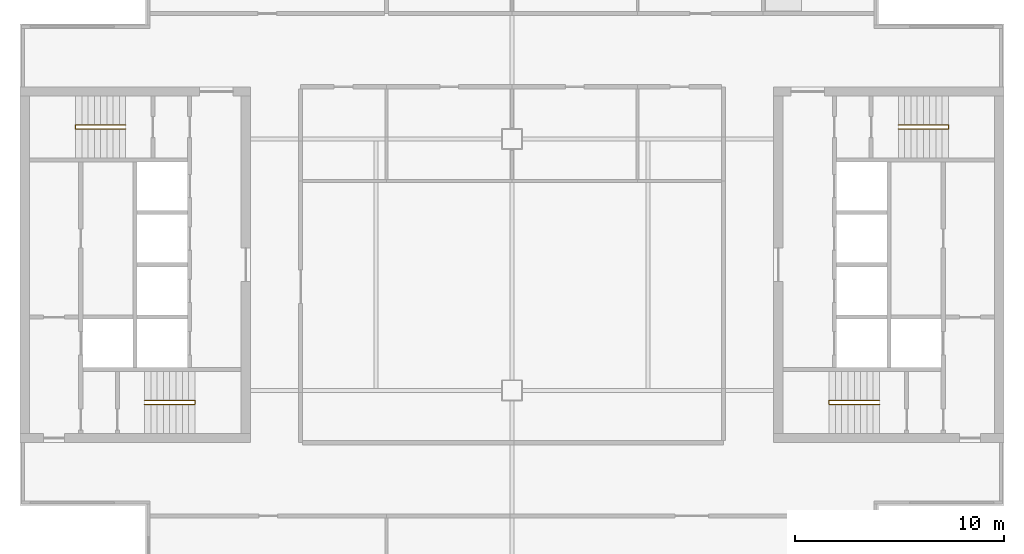
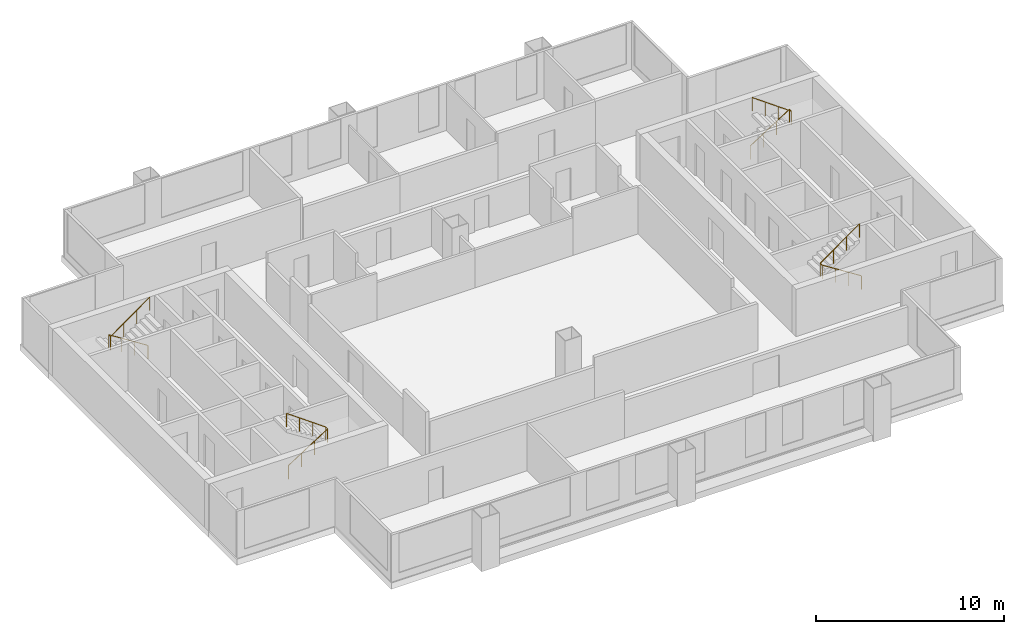
# One storey, part 6 of 7: 4 railings.
"""IFC4 building model written with IfcOpenShell, lengths in metres."""

from ifc_helpers import new_model, si_unit, direction, frame, origin, origin_2d, place, context, subcontext, project, spatial, circle, extrude, material, type_object, element, save


model = new_model("IFC4")

# Units and contexts
model_context = context("Model", 3, precision=1e-05, world=origin(), true_north=direction((0.0, 1.0)))
body_context = subcontext(model_context, "Body", "Model", "MODEL_VIEW")
ifc_project = project(units=[si_unit("LENGTHUNIT", "METRE"), si_unit("AREAUNIT", "SQUARE_METRE"), si_unit("VOLUMEUNIT", "CUBIC_METRE"), si_unit("PLANEANGLEUNIT", "RADIAN"), si_unit("MASSUNIT", "GRAM", prefix="KILO")], contexts=[model_context])

# Site, building, storey
site_placement = place(None, origin())
site = spatial("IfcSite", under=ifc_project, at=site_placement, CompositionType="ELEMENT")
building_placement = place(site_placement, origin())
building = spatial("IfcBuilding", under=site, at=building_placement, Name="Kitamizu Gate Tower and Museum", CompositionType="ELEMENT")
storey_placement = place(building_placement, frame((0.0, 0.0, 242.10009765625)))
storey = spatial("IfcBuildingStorey", under=building, at=storey_placement, Name="L65", CompositionType="ELEMENT", Elevation=242.10009765625)

# Railings
ifc_material = material(Name="Stainless steel SUS304", Category="steel")
railing_type = type_object("IfcRailingType", Name="Stair handrail 900", PredefinedType="HANDRAIL", material=ifc_material)
railing_1_placement = place(storey_placement, frame((18.449951171875, 23.324951171875, 0.191650390625)))
element("IfcRailing", 1, at=railing_1_placement, inside=storey, type_object=railing_type, Name="Stair handrail ST1", PredefinedType="HANDRAIL", context=body_context, shape_type="SweptSolid", body=[
    extrude(circle(Radius=0.02392578125, at=origin_2d()), frame((0.0, 0.0, 0.8759765625), z_axis=(0.842731908877, 0.0, 0.538333474494), x_axis=(0.0, 1.0, 0.0)), (0.0, 0.0, 1.0), 2.84814453125),
    extrude(circle(Radius=0.02392578125, at=origin_2d()), frame((2.400146484375, 0.0, 2.4091796875), z_axis=(0.0, 1.0, 0.0), x_axis=(-1.0, 0.0, 0.0)), (0.0, 0.0, 1.0), 0.199951171875),
    extrude(circle(Radius=0.02392578125, at=origin_2d()), frame((2.400146484375, 0.199951171875, 2.4091796875), z_axis=(-0.812016594614, 0.0, 0.583634346205), x_axis=(0.0, -1.0, 0.0)), (0.0, 0.0, 1.0), 2.955810546875),
    extrude(circle(Radius=0.02099609375, at=origin_2d()), origin(), (0.0, 0.0, 1.0), 0.851806640625),
    extrude(circle(Radius=0.02099609375, at=origin_2d()), frame((0.800048828125, 0.0, 0.510986328125)), (0.0, 0.0, 1.0), 0.851806640625),
    extrude(circle(Radius=0.02099609375, at=origin_2d()), frame((1.60009765625, 0.0, 1.022216796875)), (0.0, 0.0, 1.0), 0.851806640625),
    extrude(circle(Radius=0.02099609375, at=origin_2d()), frame((2.400146484375, 0.0, 1.533203125)), (0.0, 0.0, 1.0), 0.851806640625),
    extrude(circle(Radius=0.02099609375, at=origin_2d()), frame((2.400146484375, 0.199951171875, 1.533203125)), (0.0, 0.0, 1.0), 0.851806640625),
    extrude(circle(Radius=0.02099609375, at=origin_2d()), frame((1.60009765625, 0.199951171875, 2.108154296875)), (0.0, 0.0, 1.0), 0.851806640625),
    extrude(circle(Radius=0.02099609375, at=origin_2d()), frame((0.800048828125, 0.199951171875, 2.683349609375)), (0.0, 0.0, 1.0), 0.851806640625),
    extrude(circle(Radius=0.02099609375, at=origin_2d()), frame((0.0, 0.199951171875, 3.25830078125)), (0.0, 0.0, 1.0), 0.851806640625),
])
railing_2_placement = place(storey_placement, frame((17.550048828125, 36.675048828125, 0.191650390625)))
element("IfcRailing", 2, at=railing_2_placement, inside=storey, type_object=railing_type, Name="Stair handrail ST2", PredefinedType="HANDRAIL", context=body_context, shape_type="SweptSolid", body=[
    extrude(circle(Radius=0.02392578125, at=origin_2d()), frame((0.0, 0.0, 0.8759765625), z_axis=(-0.842731908877, 0.0, 0.538333474494), x_axis=(0.0, -1.0, 0.0)), (0.0, 0.0, 1.0), 2.84814453125),
    extrude(circle(Radius=0.02392578125, at=origin_2d()), frame((-2.400146484375, 0.0, 2.4091796875), z_axis=(0.0, -1.0, 0.0), x_axis=(1.0, 0.0, 0.0)), (0.0, 0.0, 1.0), 0.199951171875),
    extrude(circle(Radius=0.02392578125, at=origin_2d()), frame((-2.400146484375, -0.199951171875, 2.4091796875), z_axis=(0.812016594614, 0.0, 0.583634346205), x_axis=(0.0, 1.0, 0.0)), (0.0, 0.0, 1.0), 2.955810546875),
    extrude(circle(Radius=0.02099609375, at=origin_2d()), origin(), (0.0, 0.0, 1.0), 0.851806640625),
    extrude(circle(Radius=0.02099609375, at=origin_2d()), frame((-0.800048828125, 0.0, 0.510986328125)), (0.0, 0.0, 1.0), 0.851806640625),
    extrude(circle(Radius=0.02099609375, at=origin_2d()), frame((-1.60009765625, 0.0, 1.022216796875)), (0.0, 0.0, 1.0), 0.851806640625),
    extrude(circle(Radius=0.02099609375, at=origin_2d()), frame((-2.400146484375, 0.0, 1.533203125)), (0.0, 0.0, 1.0), 0.851806640625),
    extrude(circle(Radius=0.02099609375, at=origin_2d()), frame((-2.400146484375, -0.199951171875, 1.533203125)), (0.0, 0.0, 1.0), 0.851806640625),
    extrude(circle(Radius=0.02099609375, at=origin_2d()), frame((-1.60009765625, -0.199951171875, 2.108154296875)), (0.0, 0.0, 1.0), 0.851806640625),
    extrude(circle(Radius=0.02099609375, at=origin_2d()), frame((-0.800048828125, -0.199951171875, 2.683349609375)), (0.0, 0.0, 1.0), 0.851806640625),
    extrude(circle(Radius=0.02099609375, at=origin_2d()), frame((0.0, -0.199951171875, 3.25830078125)), (0.0, 0.0, 1.0), 0.851806640625),
])
railing_3_placement = place(storey_placement, frame((53.550048828125, 23.324951171875, 0.191650390625)))
element("IfcRailing", 3, at=railing_3_placement, inside=storey, type_object=railing_type, Name="Stair handrail ST3", PredefinedType="HANDRAIL", context=body_context, shape_type="SweptSolid", body=[
    extrude(circle(Radius=0.02392578125, at=origin_2d()), frame((0.0, 0.0, 0.8759765625), z_axis=(-0.842731908877, 0.0, 0.538333474494), x_axis=(0.0, -1.0, 0.0)), (0.0, 0.0, 1.0), 2.84814453125),
    extrude(circle(Radius=0.02392578125, at=origin_2d()), frame((-2.400146484375, 0.0, 2.4091796875), z_axis=(0.0, 1.0, 0.0), x_axis=(-1.0, 0.0, 0.0)), (0.0, 0.0, 1.0), 0.199951171875),
    extrude(circle(Radius=0.02392578125, at=origin_2d()), frame((-2.400146484375, 0.199951171875, 2.4091796875), z_axis=(0.812016594614, 0.0, 0.583634346205), x_axis=(0.0, 1.0, 0.0)), (0.0, 0.0, 1.0), 2.955810546875),
    extrude(circle(Radius=0.02099609375, at=origin_2d()), origin(), (0.0, 0.0, 1.0), 0.851806640625),
    extrude(circle(Radius=0.02099609375, at=origin_2d()), frame((-0.800048828125, 0.0, 0.510986328125)), (0.0, 0.0, 1.0), 0.851806640625),
    extrude(circle(Radius=0.02099609375, at=origin_2d()), frame((-1.60009765625, 0.0, 1.022216796875)), (0.0, 0.0, 1.0), 0.851806640625),
    extrude(circle(Radius=0.02099609375, at=origin_2d()), frame((-2.400146484375, 0.0, 1.533203125)), (0.0, 0.0, 1.0), 0.851806640625),
    extrude(circle(Radius=0.02099609375, at=origin_2d()), frame((-2.400146484375, 0.199951171875, 1.533203125)), (0.0, 0.0, 1.0), 0.851806640625),
    extrude(circle(Radius=0.02099609375, at=origin_2d()), frame((-1.60009765625, 0.199951171875, 2.108154296875)), (0.0, 0.0, 1.0), 0.851806640625),
    extrude(circle(Radius=0.02099609375, at=origin_2d()), frame((-0.800048828125, 0.199951171875, 2.683349609375)), (0.0, 0.0, 1.0), 0.851806640625),
    extrude(circle(Radius=0.02099609375, at=origin_2d()), frame((0.0, 0.199951171875, 3.25830078125)), (0.0, 0.0, 1.0), 0.851806640625),
])
railing_4_placement = place(storey_placement, frame((54.449951171875, 36.675048828125, 0.191650390625)))
element("IfcRailing", 4, at=railing_4_placement, inside=storey, type_object=railing_type, Name="Stair handrail ST4", PredefinedType="HANDRAIL", context=body_context, shape_type="SweptSolid", body=[
    extrude(circle(Radius=0.02392578125, at=origin_2d()), frame((0.0, 0.0, 0.8759765625), z_axis=(0.842731908877, 0.0, 0.538333474494), x_axis=(0.0, 1.0, 0.0)), (0.0, 0.0, 1.0), 2.84814453125),
    extrude(circle(Radius=0.02392578125, at=origin_2d()), frame((2.400146484375, 0.0, 2.4091796875), z_axis=(0.0, -1.0, 0.0), x_axis=(1.0, 0.0, 0.0)), (0.0, 0.0, 1.0), 0.199951171875),
    extrude(circle(Radius=0.02392578125, at=origin_2d()), frame((2.400146484375, -0.199951171875, 2.4091796875), z_axis=(-0.812016594614, 0.0, 0.583634346205), x_axis=(0.0, -1.0, 0.0)), (0.0, 0.0, 1.0), 2.955810546875),
    extrude(circle(Radius=0.02099609375, at=origin_2d()), origin(), (0.0, 0.0, 1.0), 0.851806640625),
    extrude(circle(Radius=0.02099609375, at=origin_2d()), frame((0.800048828125, 0.0, 0.510986328125)), (0.0, 0.0, 1.0), 0.851806640625),
    extrude(circle(Radius=0.02099609375, at=origin_2d()), frame((1.60009765625, 0.0, 1.022216796875)), (0.0, 0.0, 1.0), 0.851806640625),
    extrude(circle(Radius=0.02099609375, at=origin_2d()), frame((2.400146484375, 0.0, 1.533203125)), (0.0, 0.0, 1.0), 0.851806640625),
    extrude(circle(Radius=0.02099609375, at=origin_2d()), frame((2.400146484375, -0.199951171875, 1.533203125)), (0.0, 0.0, 1.0), 0.851806640625),
    extrude(circle(Radius=0.02099609375, at=origin_2d()), frame((1.60009765625, -0.199951171875, 2.108154296875)), (0.0, 0.0, 1.0), 0.851806640625),
    extrude(circle(Radius=0.02099609375, at=origin_2d()), frame((0.800048828125, -0.199951171875, 2.683349609375)), (0.0, 0.0, 1.0), 0.851806640625),
    extrude(circle(Radius=0.02099609375, at=origin_2d()), frame((0.0, -0.199951171875, 3.25830078125)), (0.0, 0.0, 1.0), 0.851806640625),
])

save(model, "model.ifc")
